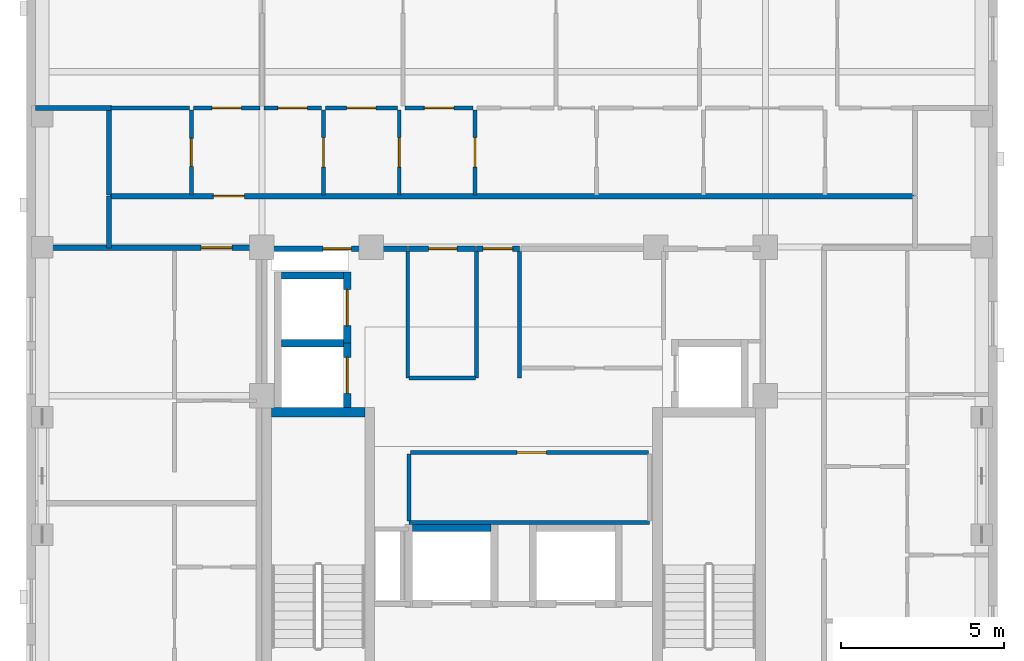
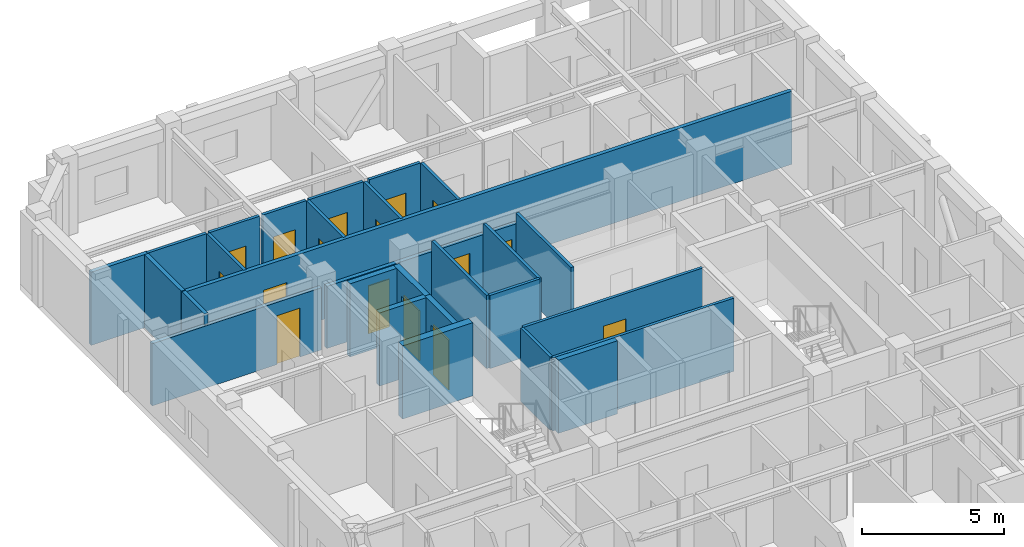
# One storey, part 5 of 11: 30 walls, 16 doors, 16 openings.
"""IFC4 building model written with IfcOpenShell, lengths in metres."""

from ifc_helpers import new_model, si_unit, derived_unit, direction, frame, frame_2d, origin, place, context, subcontext, project, spatial, rectangle, extrude, material, layer, layer_set, type_object, element, fill, save


model = new_model("IFC4")

# Units and contexts
model_context = context("Model", 3, precision=1e-05, world=origin(), true_north=direction((0.0, 1.0)))
body_context = subcontext(model_context, "Body", "Model", "MODEL_VIEW")
ifc_project = project(units=[si_unit("LENGTHUNIT", "METRE"), si_unit("AREAUNIT", "SQUARE_METRE"), si_unit("VOLUMEUNIT", "CUBIC_METRE"), si_unit("PLANEANGLEUNIT", "RADIAN"), si_unit("MASSUNIT", "GRAM", prefix="KILO"), derived_unit("THERMALTRANSMITTANCEUNIT", [(si_unit("MASSUNIT", "GRAM", prefix="KILO"), 1), (si_unit("TIMEUNIT", "SECOND"), -3), (si_unit("THERMODYNAMICTEMPERATUREUNIT", "KELVIN"), -1)])], contexts=[model_context])

# Site, building, storey
site_placement = place(None, origin())
site = spatial("IfcSite", under=ifc_project, at=site_placement, CompositionType="ELEMENT")
building_placement = place(site_placement, origin())
building = spatial("IfcBuilding", under=site, at=building_placement, Name="Korrvale Station Residences", CompositionType="ELEMENT")
storey_placement = place(building_placement, frame((0.0, 0.0, 244.5)))
storey = spatial("IfcBuildingStorey", under=building, at=storey_placement, Name="L71", CompositionType="ELEMENT", Elevation=244.5)

# Walls
ifc_material_1 = material(Name="Concrete C50/60", Category="concrete")
ifc_layer_1 = layer(ifc_material_1, 0.300048828125, Name="Concrete C50/60")
ifc_layer_set_1 = layer_set([ifc_layer_1], Name="Concrete C50/60")
wall_type_1 = type_object("IfcWallType", Name="WAL-CORE-300-C50", PredefinedType="SHEAR", material=ifc_layer_set_1)
wall_1_placement = place(storey_placement, frame((18.10009765625, 23.949951171875, 0.0), z_axis=(0.0, 0.0, 1.0), x_axis=(1.0, 0.0, 0.0)))
element("IfcWall", 1, at=wall_1_placement, inside=storey, type_object=wall_type_1, Name="L71 ST-1 Core Shear Wall North", PredefinedType="SHEAR", context=body_context, shape_type="SweptSolid", body=[
    extrude(rectangle(XDim=2.849853515625, YDim=0.300048828125, at=frame_2d((1.4248046875, 0.0))), origin(), (0.0, 0.0, 1.0), 3.139892578125),
])
ifc_material_2 = material(Name="Acoustic steel-stud gypsum board partition", Category="steel")
ifc_layer_2 = layer(ifc_material_2, 0.1201171875, Name="Acoustic steel-stud gypsum board partition")
ifc_layer_set_2 = layer_set([ifc_layer_2], Name="Acoustic steel-stud gypsum board partition")
wall_type_2 = type_object("IfcWallType", Name="WAL-PART-125", PredefinedType="PARTITIONING", material=ifc_layer_set_2)
for number, where, z_axis, x_axis, name in (
    (2, (24.360107421875, 25.0, 0.0), (0.0, 0.0, 1.0), (0.0, 1.0, 0.0), "L71 Core Partition CW-PSG-W"),
    (3, (25.679931640625, 25.0, 0.0), (0.0, 0.0, 1.0), (0.0, 1.0, 0.0), "L71 Core Partition CW-PSG-E"),
):
    element("IfcWall", number, at=place(storey_placement, frame(where, z_axis=z_axis, x_axis=x_axis)), inside=storey, type_object=wall_type_2, Name=name, PredefinedType="PARTITIONING", context=body_context, shape_type="SweptSolid", body=[
        extrude(rectangle(XDim=3.8701171875, YDim=0.1201171875, at=frame_2d((1.93505859375, 0.0))), origin(), (0.0, 0.0, 1.0), 3.139892578125),
    ])
wall_2_placement = place(storey_placement, frame((22.260009765625, 25.0, 0.0), z_axis=(0.0, 0.0, 1.0), x_axis=(0.0, 1.0, 0.0)))
element("IfcWall", 4, at=wall_2_placement, inside=storey, type_object=wall_type_2, Name="L71 Core Partition CW-FPLW-W", PredefinedType="PARTITIONING", context=body_context, shape_type="SweptSolid", body=[
    extrude(rectangle(XDim=3.860107421875, YDim=0.1201171875, at=frame_2d((1.93017578125, 0.0))), origin(), (0.0, 0.0, 1.0), 3.139892578125),
])
wall_3_placement = place(storey_placement, frame((22.300048828125, 25.0, 0.0), z_axis=(0.0, 0.0, 1.0), x_axis=(1.0, 0.0, 0.0)))
element("IfcWall", 5, at=wall_3_placement, inside=storey, type_object=wall_type_2, Name="L71 Core Partition CW-FPLW-S", PredefinedType="PARTITIONING", context=body_context, shape_type="SweptSolid", body=[
    extrude(rectangle(XDim=2.0400390625, YDim=0.1201171875, at=frame_2d((1.02001953125, 0.0))), origin(), (0.0, 0.0, 1.0), 3.139892578125),
])
wall_4_placement = place(storey_placement, frame((22.300048828125, 20.580078125, 0.0), z_axis=(0.0, 0.0, 1.0), x_axis=(1.0, 0.0, 0.0)))
element("IfcWall", 6, at=wall_4_placement, inside=storey, type_object=wall_type_2, Name="L71 Core Partition CW-FPM-S", PredefinedType="PARTITIONING", context=body_context, shape_type="SweptSolid", body=[
    extrude(rectangle(XDim=7.349853515625, YDim=0.1201171875, at=frame_2d((3.6748046875, 0.0))), origin(), (0.0, 0.0, 1.0), 3.139892578125),
])
wall_5_placement = place(storey_placement, frame((22.300048828125, 20.6201171875, 0.0), z_axis=(0.0, 0.0, 1.0), x_axis=(0.0, 1.0, 0.0)))
element("IfcWall", 7, at=wall_5_placement, inside=storey, type_object=wall_type_2, Name="L71 Core Partition CW-FPM-W", PredefinedType="PARTITIONING", context=body_context, shape_type="SweptSolid", body=[
    extrude(rectangle(XDim=2.059814453125, YDim=0.1201171875, at=frame_2d((1.02978515625, 0.0))), origin(), (0.0, 0.0, 1.0), 3.139892578125),
])

# Wall, opening, door
wall_6_placement = place(storey_placement, frame((22.35009765625, 22.719970703125, 0.0), z_axis=(0.0, 0.0, 1.0), x_axis=(1.0, 0.0, 0.0)))
wall_6 = element("IfcWall", 8, at=wall_6_placement, inside=storey, type_object=wall_type_2, Name="L71 Core Partition CW-FPM-N", PredefinedType="PARTITIONING", context=body_context, shape_type="SweptSolid", body=[
    extrude(rectangle(XDim=7.27001953125, YDim=0.1201171875, at=frame_2d((3.635009765625, 0.0))), origin(), (0.0, 0.0, 1.0), 3.139892578125),
])
opening_1_placement = place(wall_6_placement, frame((3.25, 0.0, 0.0)))
opening_1 = element("IfcOpeningElement", 9, at=opening_1_placement, cuts=wall_6, Name="Opening DI-900", PredefinedType="OPENING", context=body_context, shape_type="SweptSolid", body=[
    extrude(rectangle(XDim=0.89990234375, YDim=2.050048828125, at=frame_2d((0.449951171875, 1.02490234375))), frame((0.0, 0.070068359375, 0.0), z_axis=(0.0, -1.0, 0.0), x_axis=(1.0, 0.0, 0.0)), (0.0, 0.0, 1.0), 0.14013671875),
])
ifc_material_3 = material(Name="Painted solid-core timber interior room door", Category="wood")
door_type_1 = type_object("IfcDoorType", Name="DR-INT-900", OperationType="NOTDEFINED", PredefinedType="DOOR", material=ifc_material_3)
door_1_placement = place(opening_1_placement, origin())
door_1 = element("IfcDoor", 10, at=door_1_placement, inside=storey, type_object=door_type_1, Name="L71 Beverage Store Door", OperationType="SINGLE_SWING_RIGHT", OverallHeight=2.050048828125, OverallWidth=0.89990234375, PredefinedType="DOOR", context=body_context, shape_type="SweptSolid", body=[
    extrude(rectangle(XDim=0.89990234375, YDim=2.050048828125, at=frame_2d((0.449951171875, 1.02490234375))), frame((0.0, 0.02490234375, 0.0), z_axis=(0.0, -1.0, 0.0), x_axis=(1.0, 0.0, 0.0)), (0.0, 0.0, 1.0), 0.050048828125),
])
fill(opening_1, door_1)

wall_7_placement = place(storey_placement, frame((15.639892578125, 30.60009765625, 0.0), z_axis=(0.0, 0.0, 1.0), x_axis=(0.0, 1.0, 0.0)))
wall_7 = element("IfcWall", 11, at=wall_7_placement, inside=storey, type_object=wall_type_2, Name="L71 Suite Partition U03-V01", PredefinedType="PARTITIONING", context=body_context, shape_type="SweptSolid", body=[
    extrude(rectangle(XDim=2.599853515625, YDim=0.1201171875, at=frame_2d((1.2998046875, 0.0))), origin(), (0.0, 0.0, 1.0), 3.139892578125),
])
opening_2_placement = place(wall_7_placement, frame((0.8701171875, 0.0, 0.0)))
opening_2 = element("IfcOpeningElement", 12, at=opening_2_placement, cuts=wall_7, Name="Opening DB-860", PredefinedType="OPENING", context=body_context, shape_type="SweptSolid", body=[
    extrude(rectangle(XDim=0.860107421875, YDim=2.050048828125, at=frame_2d((0.43017578125, 1.02490234375))), frame((0.0, 0.070068359375, 0.0), z_axis=(0.0, -1.0, 0.0), x_axis=(1.0, 0.0, 0.0)), (0.0, 0.0, 1.0), 0.14013671875),
])
ifc_material_4 = material(Name="Moisture-resistant solid-core bathroom door", Category="timber")
door_type_2 = type_object("IfcDoorType", Name="DR-BATH-860", OperationType="NOTDEFINED", PredefinedType="DOOR", material=ifc_material_4)
door_2_placement = place(opening_2_placement, origin())
door_2 = element("IfcDoor", 13, at=door_2_placement, inside=storey, type_object=door_type_2, Name="L71 Apartment 3BR L71-U03 Bathroom Door", OperationType="SINGLE_SWING_RIGHT", OverallHeight=2.050048828125, OverallWidth=0.860107421875, PredefinedType="DOOR", context=body_context, shape_type="SweptSolid", body=[
    extrude(rectangle(XDim=0.860107421875, YDim=2.050048828125, at=frame_2d((0.43017578125, 1.02490234375))), frame((0.0, 0.02490234375, 0.0), z_axis=(0.0, -1.0, 0.0), x_axis=(1.0, 0.0, 0.0)), (0.0, 0.0, 1.0), 0.050048828125),
])
fill(opening_2, door_2)

# Wall
wall_8_placement = place(storey_placement, frame((13.179931640625, 33.260009765625, 0.0), z_axis=(0.0, 0.0, 1.0), x_axis=(1.0, 0.0, 0.0)))
element("IfcWall", 14, at=wall_8_placement, inside=storey, type_object=wall_type_2, Name="L71 Suite Partition U03-H08", PredefinedType="PARTITIONING", context=body_context, shape_type="SweptSolid", body=[
    extrude(rectangle(XDim=2.400146484375, YDim=0.1201171875, at=frame_2d((1.2001953125, 0.0))), origin(), (0.0, 0.0, 1.0), 3.139892578125),
])

# Wall, opening, door
wall_9_placement = place(storey_placement, frame((19.679931640625, 30.60009765625, 0.0), z_axis=(0.0, 0.0, 1.0), x_axis=(0.0, 1.0, 0.0)))
wall_9 = element("IfcWall", 15, at=wall_9_placement, inside=storey, type_object=wall_type_2, Name="L71 Suite Partition U03-V12", PredefinedType="PARTITIONING", context=body_context, shape_type="SweptSolid", body=[
    extrude(rectangle(XDim=2.599853515625, YDim=0.1201171875, at=frame_2d((1.2998046875, 0.0))), origin(), (0.0, 0.0, 1.0), 3.139892578125),
])
opening_3_placement = place(wall_9_placement, frame((0.85009765625, 0.0, 0.0)))
opening_3 = element("IfcOpeningElement", 16, at=opening_3_placement, cuts=wall_9, Name="Opening DI-900", PredefinedType="OPENING", context=body_context, shape_type="SweptSolid", body=[
    extrude(rectangle(XDim=0.89990234375, YDim=2.050048828125, at=frame_2d((0.449951171875, 1.02490234375))), frame((0.0, 0.070068359375, 0.0), z_axis=(0.0, -1.0, 0.0), x_axis=(1.0, 0.0, 0.0)), (0.0, 0.0, 1.0), 0.14013671875),
])
door_3_placement = place(opening_3_placement, origin())
door_3 = element("IfcDoor", 17, at=door_3_placement, inside=storey, type_object=door_type_1, Name="L71 Apartment 3BR L71-U03 Kitchen Door", OperationType="SINGLE_SWING_LEFT", OverallHeight=2.050048828125, OverallWidth=0.89990234375, PredefinedType="DOOR", context=body_context, shape_type="SweptSolid", body=[
    extrude(rectangle(XDim=0.89990234375, YDim=2.050048828125, at=frame_2d((0.449951171875, 1.02490234375))), frame((0.0, 0.02490234375, 0.0), z_axis=(0.0, -1.0, 0.0), x_axis=(1.0, 0.0, 0.0)), (0.0, 0.0, 1.0), 0.050048828125),
])
fill(opening_3, door_3)

wall_10_placement = place(storey_placement, frame((15.699951171875, 33.260009765625, 0.0), z_axis=(0.0, 0.0, 1.0), x_axis=(1.0, 0.0, 0.0)))
wall_10 = element("IfcWall", 18, at=wall_10_placement, inside=storey, type_object=wall_type_2, Name="L71 Suite Partition U03-H18", PredefinedType="PARTITIONING", context=body_context, shape_type="SweptSolid", body=[
    extrude(rectangle(XDim=2.0400390625, YDim=0.1201171875, at=frame_2d((1.02001953125, 0.0))), origin(), (0.0, 0.0, 1.0), 3.139892578125),
])
opening_4_placement = place(wall_10_placement, frame((0.570068359375, 0.0, 0.0)))
opening_4 = element("IfcOpeningElement", 19, at=opening_4_placement, cuts=wall_10, Name="Opening DI-900", PredefinedType="OPENING", context=body_context, shape_type="SweptSolid", body=[
    extrude(rectangle(XDim=0.89990234375, YDim=2.050048828125, at=frame_2d((0.449951171875, 1.02490234375))), frame((0.0, 0.070068359375, 0.0), z_axis=(0.0, -1.0, 0.0), x_axis=(1.0, 0.0, 0.0)), (0.0, 0.0, 1.0), 0.14013671875),
])
door_4_placement = place(opening_4_placement, origin())
door_4 = element("IfcDoor", 20, at=door_4_placement, inside=storey, type_object=door_type_1, Name="L71 Apartment 3BR L71-U03 Kitchen Door", OperationType="SINGLE_SWING_RIGHT", OverallHeight=2.050048828125, OverallWidth=0.89990234375, PredefinedType="DOOR", context=body_context, shape_type="SweptSolid", body=[
    extrude(rectangle(XDim=0.89990234375, YDim=2.050048828125, at=frame_2d((0.449951171875, 1.02490234375))), frame((0.0, 0.02490234375, 0.0), z_axis=(0.0, -1.0, 0.0), x_axis=(1.0, 0.0, 0.0)), (0.0, 0.0, 1.0), 0.050048828125),
])
fill(opening_4, door_4)

wall_11_placement = place(storey_placement, frame((17.860107421875, 33.260009765625, 0.0), z_axis=(0.0, 0.0, 1.0), x_axis=(1.0, 0.0, 0.0)))
wall_11 = element("IfcWall", 21, at=wall_11_placement, inside=storey, type_object=wall_type_2, Name="L71 Suite Partition U03-H19", PredefinedType="PARTITIONING", context=body_context, shape_type="SweptSolid", body=[
    extrude(rectangle(XDim=1.760009765625, YDim=0.1201171875, at=frame_2d((0.8798828125, 0.0))), origin(), (0.0, 0.0, 1.0), 3.139892578125),
])
opening_5_placement = place(wall_11_placement, frame((0.429931640625, 0.0, 0.0)))
opening_5 = element("IfcOpeningElement", 22, at=opening_5_placement, cuts=wall_11, Name="Opening DI-900", PredefinedType="OPENING", context=body_context, shape_type="SweptSolid", body=[
    extrude(rectangle(XDim=0.89990234375, YDim=2.050048828125, at=frame_2d((0.449951171875, 1.02490234375))), frame((0.0, 0.070068359375, 0.0), z_axis=(0.0, -1.0, 0.0), x_axis=(1.0, 0.0, 0.0)), (0.0, 0.0, 1.0), 0.14013671875),
])
door_5_placement = place(opening_5_placement, origin())
door_5 = element("IfcDoor", 23, at=door_5_placement, inside=storey, type_object=door_type_1, Name="L71 Apartment 3BR L71-U03 Kitchen Door", OperationType="SINGLE_SWING_LEFT", OverallHeight=2.050048828125, OverallWidth=0.89990234375, PredefinedType="DOOR", context=body_context, shape_type="SweptSolid", body=[
    extrude(rectangle(XDim=0.89990234375, YDim=2.050048828125, at=frame_2d((0.449951171875, 1.02490234375))), frame((0.0, 0.02490234375, 0.0), z_axis=(0.0, -1.0, 0.0), x_axis=(1.0, 0.0, 0.0)), (0.0, 0.0, 1.0), 0.050048828125),
])
fill(opening_5, door_5)

wall_12_placement = place(storey_placement, frame((22.0, 30.60009765625, 0.0), z_axis=(0.0, 0.0, 1.0), x_axis=(0.0, 1.0, 0.0)))
wall_12 = element("IfcWall", 24, at=wall_12_placement, inside=storey, type_object=wall_type_2, Name="L71 Suite Partition U03-V23", PredefinedType="PARTITIONING", context=body_context, shape_type="SweptSolid", body=[
    extrude(rectangle(XDim=2.599853515625, YDim=0.1201171875, at=frame_2d((1.2998046875, 0.0))), origin(), (0.0, 0.0, 1.0), 3.139892578125),
])
opening_6_placement = place(wall_12_placement, frame((0.85009765625, 0.0, 0.0)))
opening_6 = element("IfcOpeningElement", 25, at=opening_6_placement, cuts=wall_12, Name="Opening DI-900", PredefinedType="OPENING", context=body_context, shape_type="SweptSolid", body=[
    extrude(rectangle(XDim=0.89990234375, YDim=2.050048828125, at=frame_2d((0.449951171875, 1.02490234375))), frame((0.0, 0.070068359375, 0.0), z_axis=(0.0, -1.0, 0.0), x_axis=(1.0, 0.0, 0.0)), (0.0, 0.0, 1.0), 0.14013671875),
])
door_6_placement = place(opening_6_placement, origin())
door_6 = element("IfcDoor", 26, at=door_6_placement, inside=storey, type_object=door_type_1, Name="L71 Apartment 3BR L71-U03 Wardrobe Storage Room Door", OperationType="SINGLE_SWING_RIGHT", OverallHeight=2.050048828125, OverallWidth=0.89990234375, PredefinedType="DOOR", context=body_context, shape_type="SweptSolid", body=[
    extrude(rectangle(XDim=0.89990234375, YDim=2.050048828125, at=frame_2d((0.449951171875, 1.02490234375))), frame((0.0, 0.02490234375, 0.0), z_axis=(0.0, -1.0, 0.0), x_axis=(1.0, 0.0, 0.0)), (0.0, 0.0, 1.0), 0.050048828125),
])
fill(opening_6, door_6)

wall_13_placement = place(storey_placement, frame((19.739990234375, 33.260009765625, 0.0), z_axis=(0.0, 0.0, 1.0), x_axis=(1.0, 0.0, 0.0)))
wall_13 = element("IfcWall", 27, at=wall_13_placement, inside=storey, type_object=wall_type_2, Name="L71 Suite Partition U03-H29", PredefinedType="PARTITIONING", context=body_context, shape_type="SweptSolid", body=[
    extrude(rectangle(XDim=2.199951171875, YDim=0.1201171875, at=frame_2d((1.10009765625, 0.0))), origin(), (0.0, 0.0, 1.0), 3.139892578125),
])
opening_7_placement = place(wall_13_placement, frame((0.64990234375, 0.0, 0.0)))
opening_7 = element("IfcOpeningElement", 28, at=opening_7_placement, cuts=wall_13, Name="Opening DI-900", PredefinedType="OPENING", context=body_context, shape_type="SweptSolid", body=[
    extrude(rectangle(XDim=0.89990234375, YDim=2.050048828125, at=frame_2d((0.449951171875, 1.02490234375))), frame((0.0, 0.070068359375, 0.0), z_axis=(0.0, -1.0, 0.0), x_axis=(1.0, 0.0, 0.0)), (0.0, 0.0, 1.0), 0.14013671875),
])
door_7_placement = place(opening_7_placement, origin())
door_7 = element("IfcDoor", 29, at=door_7_placement, inside=storey, type_object=door_type_1, Name="L71 Apartment 3BR L71-U03 Wardrobe Storage Room Door", OperationType="SINGLE_SWING_LEFT", OverallHeight=2.050048828125, OverallWidth=0.89990234375, PredefinedType="DOOR", context=body_context, shape_type="SweptSolid", body=[
    extrude(rectangle(XDim=0.89990234375, YDim=2.050048828125, at=frame_2d((0.449951171875, 1.02490234375))), frame((0.0, 0.02490234375, 0.0), z_axis=(0.0, -1.0, 0.0), x_axis=(1.0, 0.0, 0.0)), (0.0, 0.0, 1.0), 0.050048828125),
])
fill(opening_7, door_7)

wall_14_placement = place(storey_placement, frame((24.320068359375, 30.60009765625, 0.0), z_axis=(0.0, 0.0, 1.0), x_axis=(0.0, 1.0, 0.0)))
wall_14 = element("IfcWall", 30, at=wall_14_placement, inside=storey, type_object=wall_type_2, Name="L71 Suite Partition U03-V34", PredefinedType="PARTITIONING", context=body_context, shape_type="SweptSolid", body=[
    extrude(rectangle(XDim=2.599853515625, YDim=0.1201171875, at=frame_2d((1.2998046875, 0.0))), origin(), (0.0, 0.0, 1.0), 3.139892578125),
])
opening_8_placement = place(wall_14_placement, frame((0.85009765625, 0.0, 0.0)))
opening_8 = element("IfcOpeningElement", 31, at=opening_8_placement, cuts=wall_14, Name="Opening DI-900", PredefinedType="OPENING", context=body_context, shape_type="SweptSolid", body=[
    extrude(rectangle(XDim=0.89990234375, YDim=2.050048828125, at=frame_2d((0.449951171875, 1.02490234375))), frame((0.0, 0.070068359375, 0.0), z_axis=(0.0, -1.0, 0.0), x_axis=(1.0, 0.0, 0.0)), (0.0, 0.0, 1.0), 0.14013671875),
])
door_8_placement = place(opening_8_placement, origin())
door_8 = element("IfcDoor", 32, at=door_8_placement, inside=storey, type_object=door_type_1, Name="L71 Apartment 3BR L71-U03 Wardrobe Storage Room Door", OperationType="SINGLE_SWING_RIGHT", OverallHeight=2.050048828125, OverallWidth=0.89990234375, PredefinedType="DOOR", context=body_context, shape_type="SweptSolid", body=[
    extrude(rectangle(XDim=0.89990234375, YDim=2.050048828125, at=frame_2d((0.449951171875, 1.02490234375))), frame((0.0, 0.02490234375, 0.0), z_axis=(0.0, -1.0, 0.0), x_axis=(1.0, 0.0, 0.0)), (0.0, 0.0, 1.0), 0.050048828125),
])
fill(opening_8, door_8)

wall_15_placement = place(storey_placement, frame((22.179931640625, 33.260009765625, 0.0), z_axis=(0.0, 0.0, 1.0), x_axis=(1.0, 0.0, 0.0)))
wall_15 = element("IfcWall", 33, at=wall_15_placement, inside=storey, type_object=wall_type_2, Name="L71 Suite Partition U03-H310", PredefinedType="PARTITIONING", context=body_context, shape_type="SweptSolid", body=[
    extrude(rectangle(XDim=2.080078125, YDim=0.1201171875, at=frame_2d((1.0400390625, 0.0))), origin(), (0.0, 0.0, 1.0), 3.139892578125),
])
opening_9_placement = place(wall_15_placement, frame((0.590087890625, 0.0, 0.0)))
opening_9 = element("IfcOpeningElement", 34, at=opening_9_placement, cuts=wall_15, Name="Opening DI-900", PredefinedType="OPENING", context=body_context, shape_type="SweptSolid", body=[
    extrude(rectangle(XDim=0.89990234375, YDim=2.050048828125, at=frame_2d((0.449951171875, 1.02490234375))), frame((0.0, 0.070068359375, 0.0), z_axis=(0.0, -1.0, 0.0), x_axis=(1.0, 0.0, 0.0)), (0.0, 0.0, 1.0), 0.14013671875),
])
door_9_placement = place(opening_9_placement, origin())
door_9 = element("IfcDoor", 35, at=door_9_placement, inside=storey, type_object=door_type_1, Name="L71 Apartment 3BR L71-U03 Wardrobe Storage Room Door", OperationType="SINGLE_SWING_LEFT", OverallHeight=2.050048828125, OverallWidth=0.89990234375, PredefinedType="DOOR", context=body_context, shape_type="SweptSolid", body=[
    extrude(rectangle(XDim=0.89990234375, YDim=2.050048828125, at=frame_2d((0.449951171875, 1.02490234375))), frame((0.0, 0.02490234375, 0.0), z_axis=(0.0, -1.0, 0.0), x_axis=(1.0, 0.0, 0.0)), (0.0, 0.0, 1.0), 0.050048828125),
])
fill(opening_9, door_9)

ifc_material_5 = material(Name="Fire-rated twin-stud gypsum and mineral wool shaftwall assembly", Category="gypsum")
ifc_layer_3 = layer(ifc_material_5, 0.159912109375, Name="Fire-rated twin-stud gypsum and mineral wool shaftwall assembly")
ifc_layer_set_3 = layer_set([ifc_layer_3], Name="Fire-rated twin-stud gypsum and mineral wool shaftwall assembly")
wall_type_3 = type_object("IfcWallType", Name="WAL-PART-200", PredefinedType="PARTITIONING", material=ifc_layer_set_3)
wall_16_placement = place(storey_placement, frame((24.360107421875, 28.949951171875, 0.0), z_axis=(0.0, 0.0, 1.0), x_axis=(1.0, 0.0, 0.0)))
wall_16 = element("IfcWall", 36, at=wall_16_placement, inside=storey, type_object=wall_type_3, Name="L71 Core Partition CW-LLOB-N", PredefinedType="PARTITIONING", context=body_context, shape_type="SweptSolid", body=[
    extrude(rectangle(XDim=1.31982421875, YDim=0.159912109375, at=frame_2d((0.659912109375, 0.0))), origin(), (0.0, 0.0, 1.0), 2.66796875),
])
opening_10_placement = place(wall_16_placement, frame((0.2099609375, 0.0, 0.0)))
opening_10 = element("IfcOpeningElement", 37, at=opening_10_placement, cuts=wall_16, Name="Opening DI-900", PredefinedType="OPENING", context=body_context, shape_type="SweptSolid", body=[
    extrude(rectangle(XDim=0.89990234375, YDim=2.050048828125, at=frame_2d((0.449951171875, 1.02490234375))), frame((0.0, 0.08984375, 0.0), z_axis=(0.0, -1.0, 0.0), x_axis=(1.0, 0.0, 0.0)), (0.0, 0.0, 1.0), 0.179931640625),
])
door_10_placement = place(opening_10_placement, origin())
door_10 = element("IfcDoor", 38, at=door_10_placement, inside=storey, type_object=door_type_1, Name="L71 Central Hallway North Passage Door", OperationType="SINGLE_SWING_LEFT", OverallHeight=2.050048828125, OverallWidth=0.89990234375, PredefinedType="DOOR", context=body_context, shape_type="SweptSolid", body=[
    extrude(rectangle(XDim=0.89990234375, YDim=2.050048828125, at=frame_2d((0.449951171875, 1.02490234375))), frame((0.0, 0.02490234375, 0.0), z_axis=(0.0, -1.0, 0.0), x_axis=(1.0, 0.0, 0.0)), (0.0, 0.0, 1.0), 0.050048828125),
])
fill(opening_10, door_10)

wall_17_placement = place(storey_placement, frame((17.9599609375, 28.949951171875, 0.0), z_axis=(0.0, 0.0, 1.0), x_axis=(1.0, 0.0, 0.0)))
wall_17 = element("IfcWall", 39, at=wall_17_placement, inside=storey, type_object=wall_type_3, Name="L71 Core Partition CW-NW", PredefinedType="PARTITIONING", context=body_context, shape_type="SweptSolid", body=[
    extrude(rectangle(XDim=4.2900390625, YDim=0.159912109375, at=frame_2d((2.14501953125, 0.0))), origin(), (0.0, 0.0, 1.0), 2.66796875),
])
opening_11_placement = place(wall_17_placement, frame((1.715087890625, 0.0, 0.0)))
opening_11 = element("IfcOpeningElement", 40, at=opening_11_placement, cuts=wall_17, Name="Opening DB-860", PredefinedType="OPENING", context=body_context, shape_type="SweptSolid", body=[
    extrude(rectangle(XDim=0.860107421875, YDim=2.050048828125, at=frame_2d((0.43017578125, 1.02490234375))), frame((0.0, 0.08984375, 0.0), z_axis=(0.0, -1.0, 0.0), x_axis=(1.0, 0.0, 0.0)), (0.0, 0.0, 1.0), 0.179931640625),
])
door_11_placement = place(opening_11_placement, origin())
door_11 = element("IfcDoor", 41, at=door_11_placement, inside=storey, type_object=door_type_2, Name="L71 Electrical Riser Access Door", OperationType="SINGLE_SWING_RIGHT", OverallHeight=2.050048828125, OverallWidth=0.860107421875, PredefinedType="DOOR", context=body_context, shape_type="SweptSolid", body=[
    extrude(rectangle(XDim=0.860107421875, YDim=2.050048828125, at=frame_2d((0.43017578125, 1.02490234375))), frame((0.0, 0.02490234375, 0.0), z_axis=(0.0, -1.0, 0.0), x_axis=(1.0, 0.0, 0.0)), (0.0, 0.0, 1.0), 0.050048828125),
])
fill(opening_11, door_11)

wall_18_placement = place(storey_placement, frame((22.280029296875, 28.949951171875, 0.0), z_axis=(0.0, 0.0, 1.0), x_axis=(1.0, 0.0, 0.0)))
wall_18 = element("IfcWall", 42, at=wall_18_placement, inside=storey, type_object=wall_type_3, Name="L71 Core Partition CW-FPLW-N", PredefinedType="PARTITIONING", context=body_context, shape_type="SweptSolid", body=[
    extrude(rectangle(XDim=2.06005859375, YDim=0.159912109375, at=frame_2d((1.030029296875, 0.0))), origin(), (0.0, 0.0, 1.0), 2.66796875),
])
opening_12_placement = place(wall_18_placement, frame((0.6201171875, 0.0, 0.0)))
opening_12 = element("IfcOpeningElement", 43, at=opening_12_placement, cuts=wall_18, Name="Opening DB-860", PredefinedType="OPENING", context=body_context, shape_type="SweptSolid", body=[
    extrude(rectangle(XDim=0.860107421875, YDim=2.050048828125, at=frame_2d((0.43017578125, 1.02490234375))), frame((0.0, 0.08984375, 0.0), z_axis=(0.0, -1.0, 0.0), x_axis=(1.0, 0.0, 0.0)), (0.0, 0.0, 1.0), 0.179931640625),
])
door_12_placement = place(opening_12_placement, origin())
door_12 = element("IfcDoor", 44, at=door_12_placement, inside=storey, type_object=door_type_2, Name="L71 Resident Parcel Room Door", OperationType="SINGLE_SWING_RIGHT", OverallHeight=2.050048828125, OverallWidth=0.860107421875, PredefinedType="DOOR", context=body_context, shape_type="SweptSolid", body=[
    extrude(rectangle(XDim=0.860107421875, YDim=2.050048828125, at=frame_2d((0.43017578125, 1.02490234375))), frame((0.0, 0.02490234375, 0.0), z_axis=(0.0, -1.0, 0.0), x_axis=(1.0, 0.0, 0.0)), (0.0, 0.0, 1.0), 0.050048828125),
])
fill(opening_12, door_12)

# Walls
wall_19_placement = place(storey_placement, frame((13.1201171875, 28.97998046875, 0.0), z_axis=(0.0, 0.0, 1.0), x_axis=(0.0, 1.0, 0.0)))
element("IfcWall", 45, at=wall_19_placement, inside=storey, type_object=wall_type_3, Name="L71 Corridor North West Cap", PredefinedType="PARTITIONING", context=body_context, shape_type="SweptSolid", body=[
    extrude(rectangle(XDim=1.580078125, YDim=0.159912109375, at=frame_2d((0.7900390625, 0.0))), origin(), (0.0, 0.0, 1.0), 3.139892578125),
])
wall_20_placement = place(storey_placement, frame((10.8798828125, 33.260009765625, 0.0), z_axis=(0.0, 0.0, 1.0), x_axis=(1.0, 0.0, 0.0)))
element("IfcWall", 46, at=wall_20_placement, inside=storey, type_object=wall_type_3, Name="L71 Corner Step Wall U03-L", PredefinedType="PARTITIONING", context=body_context, shape_type="SweptSolid", body=[
    extrude(rectangle(XDim=2.340087890625, YDim=0.159912109375, at=frame_2d((1.169921875, 0.0))), origin(), (0.0, 0.0, 1.0), 3.139892578125),
])
wall_21_placement = place(storey_placement, frame((13.1201171875, 30.60009765625, 0.0), z_axis=(0.0, 0.0, 1.0), x_axis=(0.0, 1.0, 0.0)))
element("IfcWall", 47, at=wall_21_placement, inside=storey, type_object=wall_type_3, Name="L71 Corner Step Cheek U03-L", PredefinedType="PARTITIONING", context=body_context, shape_type="SweptSolid", body=[
    extrude(rectangle(XDim=2.659912109375, YDim=0.159912109375, at=frame_2d((1.330078125, 0.0))), origin(), (0.0, 0.0, 1.0), 3.139892578125),
])

# Wall, opening, door
wall_22_placement = place(storey_placement, frame((10.8798828125, 28.97998046875, 0.0), z_axis=(0.0, 0.0, 1.0), x_axis=(1.0, 0.0, 0.0)))
wall_22 = element("IfcWall", 48, at=wall_22_placement, inside=storey, type_object=wall_type_3, Name="L71 Side Suite North Entry Wall U05", PredefinedType="PARTITIONING", context=body_context, shape_type="SweptSolid", body=[
    extrude(rectangle(XDim=6.880126953125, YDim=0.159912109375, at=frame_2d((3.43994140625, 0.0))), origin(), (0.0, 0.0, 1.0), 2.66796875),
])
opening_13_placement = place(wall_22_placement, frame((5.06005859375, 0.0, 0.0)))
opening_13 = element("IfcOpeningElement", 49, at=opening_13_placement, cuts=wall_22, Name="Opening UD-950", PredefinedType="OPENING", context=body_context, shape_type="SweptSolid", body=[
    extrude(rectangle(XDim=0.949951171875, YDim=2.10009765625, at=frame_2d((0.47509765625, 1.050048828125))), frame((0.0, 0.08984375, 0.0), z_axis=(0.0, -1.0, 0.0), x_axis=(1.0, 0.0, 0.0)), (0.0, 0.0, 1.0), 0.179931640625),
])
ifc_material_6 = material(Name="Solid-core acoustic oak apartment entrance door", Category="timber")
door_type_3 = type_object("IfcDoorType", Name="DR-UNIT-950", OperationType="NOTDEFINED", PredefinedType="DOOR", material=ifc_material_6)
door_13_placement = place(opening_13_placement, origin())
door_13 = element("IfcDoor", 50, at=door_13_placement, inside=storey, type_object=door_type_3, Name="L71 Apartment L71-U05 Entrance Door", OperationType="SINGLE_SWING_RIGHT", OverallHeight=2.10009765625, OverallWidth=0.949951171875, PredefinedType="DOOR", context=body_context, shape_type="SweptSolid", body=[
    extrude(rectangle(XDim=0.949951171875, YDim=2.10009765625, at=frame_2d((0.47509765625, 1.050048828125))), frame((0.0, 0.02490234375, 0.0), z_axis=(0.0, -1.0, 0.0), x_axis=(1.0, 0.0, 0.0)), (0.0, 0.0, 1.0), 0.050048828125),
])
fill(opening_13, door_13)

wall_23_placement = place(storey_placement, frame((13.14990234375, 30.56005859375, 0.0), z_axis=(0.0, 0.0, 1.0), x_axis=(1.0, 0.0, 0.0)))
wall_23 = element("IfcWall", 51, at=wall_23_placement, inside=storey, type_object=wall_type_3, Name="L71 Rated Corridor Wall N", PredefinedType="PARTITIONING", context=body_context, shape_type="SweptSolid", body=[
    extrude(rectangle(XDim=24.60009765625, YDim=0.159912109375, at=frame_2d((12.300048828125, 0.0))), origin(), (0.0, 0.0, 1.0), 3.139892578125),
])
opening_14_placement = place(wall_23_placement, frame((3.1650390625, 0.0, 0.0)))
opening_14 = element("IfcOpeningElement", 52, at=opening_14_placement, cuts=wall_23, Name="Opening UD-950", PredefinedType="OPENING", context=body_context, shape_type="SweptSolid", body=[
    extrude(rectangle(XDim=0.949951171875, YDim=2.10009765625, at=frame_2d((0.47509765625, 1.050048828125))), frame((0.0, 0.08984375, 0.0), z_axis=(0.0, -1.0, 0.0), x_axis=(1.0, 0.0, 0.0)), (0.0, 0.0, 1.0), 0.179931640625),
])
door_14_placement = place(opening_14_placement, origin())
door_14 = element("IfcDoor", 53, at=door_14_placement, inside=storey, type_object=door_type_3, Name="L71 Apartment L71-U03 Entrance Door", OperationType="SINGLE_SWING_LEFT", OverallHeight=2.10009765625, OverallWidth=0.949951171875, PredefinedType="DOOR", context=body_context, shape_type="SweptSolid", body=[
    extrude(rectangle(XDim=0.949951171875, YDim=2.10009765625, at=frame_2d((0.47509765625, 1.050048828125))), frame((0.0, 0.02490234375, 0.0), z_axis=(0.0, -1.0, 0.0), x_axis=(1.0, 0.0, 0.0)), (0.0, 0.0, 1.0), 0.050048828125),
])
fill(opening_14, door_14)

ifc_layer_4 = layer(ifc_material_1, 0.219970703125, Name="Concrete C50/60")
ifc_layer_set_4 = layer_set([ifc_layer_4], Name="Concrete C50/60")
wall_type_4 = type_object("IfcWallType", Name="WAL-SHAFT-220-C50", PredefinedType="SHEAR", material=ifc_layer_set_4)
wall_24_placement = place(storey_placement, frame((20.409912109375, 24.10009765625, 0.0), z_axis=(0.0, 0.0, 1.0), x_axis=(0.0, 1.0, 0.0)))
wall_24 = element("IfcWall", 54, at=wall_24_placement, inside=storey, type_object=wall_type_4, Name="L71 Elevator PH-1 Hoistway Wall East", PredefinedType="SHEAR", context=body_context, shape_type="SweptSolid", body=[
    extrude(rectangle(XDim=1.9599609375, YDim=0.219970703125, at=frame_2d((0.97998046875, 0.0))), origin(), (0.0, 0.0, 1.0), 3.139892578125),
])
opening_15_placement = place(wall_24_placement, frame((0.429931640625, 0.0, 0.0)))
opening_15 = element("IfcOpeningElement", 55, at=opening_15_placement, cuts=wall_24, Name="Opening LD-1100", PredefinedType="OPENING", context=body_context, shape_type="SweptSolid", body=[
    extrude(rectangle(XDim=1.10009765625, YDim=2.14990234375, at=frame_2d((0.550048828125, 1.074951171875))), frame((0.0, 0.1201171875, 0.0), z_axis=(0.0, -1.0, 0.0), x_axis=(1.0, 0.0, 0.0)), (0.0, 0.0, 1.0), 0.239990234375),
])
ifc_material_7 = material(Name="Brushed stainless-steel elevator landing sliding door", Category="steel")
door_type_4 = type_object("IfcDoorType", Name="DR-LIFT-1100", OperationType="SLIDING_TO_LEFT", PredefinedType="DOOR", material=ifc_material_7)
door_15_placement = place(opening_15_placement, origin())
door_15 = element("IfcDoor", 56, at=door_15_placement, inside=storey, type_object=door_type_4, Name="L71 Elevator PH-1 Sliding Landing Door", OperationType="SLIDING_TO_LEFT", OverallHeight=2.14990234375, OverallWidth=1.10009765625, PredefinedType="DOOR", context=body_context, shape_type="SweptSolid", body=[
    extrude(rectangle(XDim=1.10009765625, YDim=2.14990234375, at=frame_2d((0.550048828125, 1.074951171875))), frame((0.0, 0.02490234375, 0.0), z_axis=(0.0, -1.0, 0.0), x_axis=(1.0, 0.0, 0.0)), (0.0, 0.0, 1.0), 0.050048828125),
])
fill(opening_15, door_15)

# Walls
for number, where, z_axis, x_axis, name in (
    (57, (18.39990234375, 26.06005859375, 0.0), (0.0, 0.0, 1.0), (1.0, 0.0, 0.0), "L71 Elevator PH-2 Hoistway Wall South"),
    (58, (18.39990234375, 28.1298828125, 0.0), (0.0, 0.0, 1.0), (1.0, 0.0, 0.0), "L71 Elevator PH-2 Hoistway Wall North"),
):
    element("IfcWall", number, at=place(storey_placement, frame(where, z_axis=z_axis, x_axis=x_axis)), inside=storey, type_object=wall_type_4, Name=name, PredefinedType="SHEAR", context=body_context, shape_type="SweptSolid", body=[
        extrude(rectangle(XDim=1.900146484375, YDim=0.219970703125, at=frame_2d((0.9501953125, 0.0))), origin(), (0.0, 0.0, 1.0), 3.139892578125),
    ])

# Wall, opening, door
wall_25_placement = place(storey_placement, frame((20.409912109375, 26.06005859375, 0.0), z_axis=(0.0, 0.0, 1.0), x_axis=(0.0, 1.0, 0.0)))
wall_25 = element("IfcWall", 59, at=wall_25_placement, inside=storey, type_object=wall_type_4, Name="L71 Elevator PH-2 Hoistway Wall East", PredefinedType="SHEAR", context=body_context, shape_type="SweptSolid", body=[
    extrude(rectangle(XDim=2.179931640625, YDim=0.219970703125, at=frame_2d((1.08984375, 0.0))), origin(), (0.0, 0.0, 1.0), 3.139892578125),
])
opening_16_placement = place(wall_25_placement, frame((0.5400390625, 0.0, 0.0)))
opening_16 = element("IfcOpeningElement", 60, at=opening_16_placement, cuts=wall_25, Name="Opening LD-1100", PredefinedType="OPENING", context=body_context, shape_type="SweptSolid", body=[
    extrude(rectangle(XDim=1.10009765625, YDim=2.14990234375, at=frame_2d((0.550048828125, 1.074951171875))), frame((0.0, 0.1201171875, 0.0), z_axis=(0.0, -1.0, 0.0), x_axis=(1.0, 0.0, 0.0)), (0.0, 0.0, 1.0), 0.239990234375),
])
door_16_placement = place(opening_16_placement, origin())
door_16 = element("IfcDoor", 61, at=door_16_placement, inside=storey, type_object=door_type_4, Name="L71 Elevator PH-2 Sliding Landing Door", OperationType="SLIDING_TO_LEFT", OverallHeight=2.14990234375, OverallWidth=1.10009765625, PredefinedType="DOOR", context=body_context, shape_type="SweptSolid", body=[
    extrude(rectangle(XDim=1.10009765625, YDim=2.14990234375, at=frame_2d((0.550048828125, 1.074951171875))), frame((0.0, 0.02490234375, 0.0), z_axis=(0.0, -1.0, 0.0), x_axis=(1.0, 0.0, 0.0)), (0.0, 0.0, 1.0), 0.050048828125),
])
fill(opening_16, door_16)

# Wall
wall_26_placement = place(storey_placement, frame((22.39990234375, 20.409912109375, 0.0), z_axis=(0.0, 0.0, 1.0), x_axis=(1.0, 0.0, 0.0)))
element("IfcWall", 62, at=wall_26_placement, inside=storey, type_object=wall_type_4, Name="L71 Elevator FFL-1 Hoistway Wall North", PredefinedType="SHEAR", context=body_context, shape_type="SweptSolid", body=[
    extrude(rectangle(XDim=2.400146484375, YDim=0.219970703125, at=frame_2d((1.2001953125, 0.0))), origin(), (0.0, 0.0, 1.0), 3.139892578125),
])

save(model, "model.ifc")
